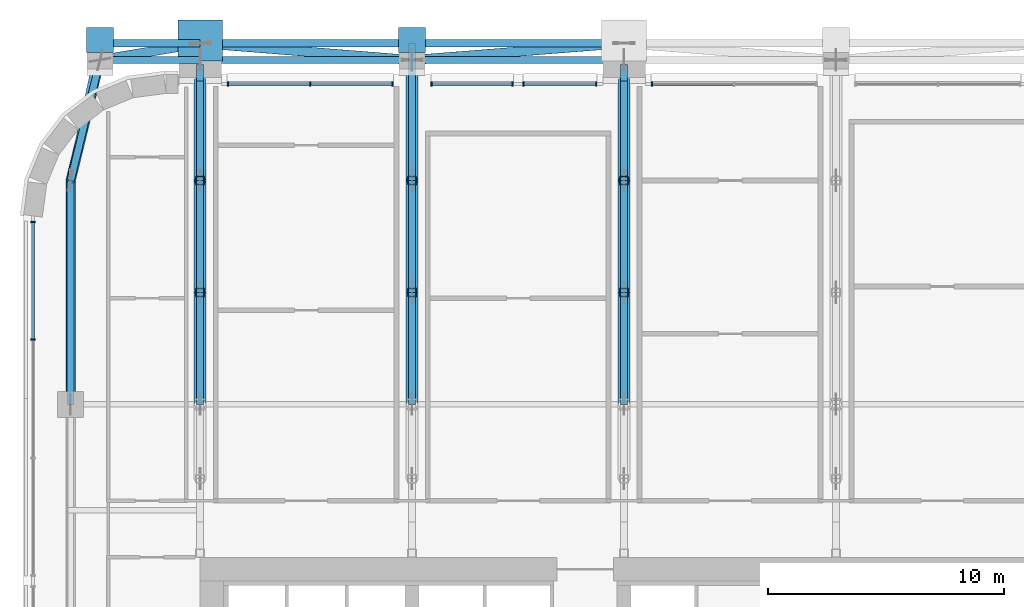
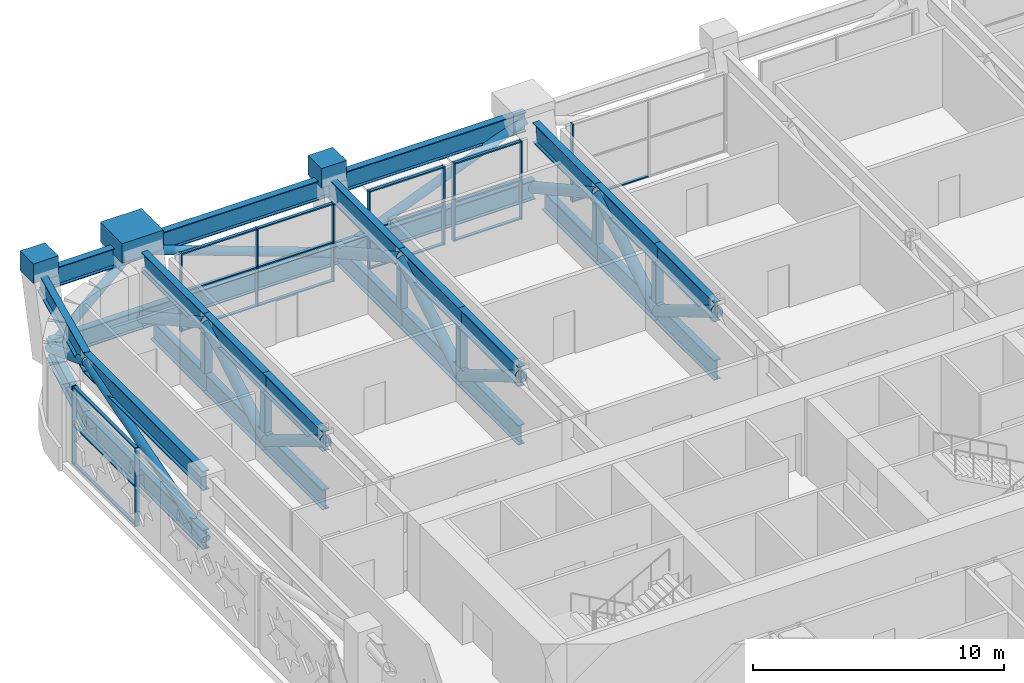
# One storey, part 6 of 27: 74 members, 3 beams, 5 elements without a shape of their own.
"""IFC4 building model written with IfcOpenShell, lengths in metres."""

from ifc_helpers import new_model, si_unit, direction, frame, origin, origin_2d, place, context, subcontext, project, spatial, rectangle, hollow_rectangle, hollow_circle, i_section, extrude, material, material_profile, profile_set, type_object, element, aggregate, save


model = new_model("IFC4")

# Units and contexts
model_context = context("Model", 3, precision=1e-05, world=origin(), true_north=direction((0.0, 1.0)))
body_context = subcontext(model_context, "Body", "Model", "MODEL_VIEW")
ifc_project = project(units=[si_unit("LENGTHUNIT", "METRE"), si_unit("AREAUNIT", "SQUARE_METRE"), si_unit("VOLUMEUNIT", "CUBIC_METRE"), si_unit("PLANEANGLEUNIT", "RADIAN"), si_unit("MASSUNIT", "GRAM", prefix="KILO")], contexts=[model_context])

# Site, building, storey
site_placement = place(None, origin())
site = spatial("IfcSite", under=ifc_project, at=site_placement, CompositionType="ELEMENT")
building_placement = place(site_placement, origin())
building = spatial("IfcBuilding", under=site, at=building_placement, Name="Zellij Exchange Tower", CompositionType="ELEMENT")
storey_placement = place(building_placement, frame((0.0, 0.0, 104.5)))
storey = spatial("IfcBuildingStorey", under=building, at=storey_placement, Name="L22", CompositionType="ELEMENT", Elevation=104.5)

# Curtain wall, member
ifc_material_1 = material(Name="Aluminium frame, clear insulating glass", Category="aluminium")
curtain_wall_type = type_object("IfcCurtainWallType", Name="ENV-CW2 Outrigger-storey glazing", PredefinedType="NOTDEFINED", material=ifc_material_1)
curtain_wall_1_placement = place(storey_placement, origin())
curtain_wall_1 = element("IfcCurtainWall", 1, at=curtain_wall_1_placement, inside=storey, type_object=curtain_wall_type, Name="cw.L22.14f", PredefinedType="NOTDEFINED")
ifc_material_2 = material(Name="Aluminium", Category="aluminium")
ifc_material_profile_1 = material_profile(ifc_material_2, rectangle(XDim=0.06005859375, YDim=0.199951171875, at=origin_2d()), Name="AL 60x200")
ifc_profile_set_1 = profile_set([ifc_material_profile_1], Name="Aluminium")
member_type_1 = type_object("IfcMemberType", Name="ENV-CW2M Mullion 60x200", PredefinedType="MULLION", material=ifc_profile_set_1)
member_1_placement = place(storey_placement, frame((-7.820068359375, 18.10009765625, 0.0), z_axis=(0.0, 0.0, 1.0), x_axis=(-1.0, 0.0, 0.0)))
member_1 = element("IfcMember", 2, at=member_1_placement, type_object=member_type_1, Name="CW2 mullion 3", PredefinedType="MULLION", context=body_context, shape_type="SweptSolid", body=[
    extrude(rectangle(XDim=0.06005859375, YDim=0.199951171875, at=origin_2d()), origin(), (0.0, 0.0, 1.0), 3.800048828125),
])

# Curtain wall, members
curtain_wall_2_placement = place(storey_placement, origin())
curtain_wall_2 = element("IfcCurtainWall", 3, at=curtain_wall_2_placement, inside=storey, type_object=curtain_wall_type, Name="cw.L22.14g", PredefinedType="NOTDEFINED")
member_2_placement = place(storey_placement, frame((-10.179931640625, 18.10009765625, 0.0), z_axis=(0.0, 0.0, 1.0), x_axis=(-1.0, 0.0, 0.0)))
member_2 = element("IfcMember", 4, at=member_2_placement, type_object=member_type_1, Name="CW2 mullion 1", PredefinedType="MULLION", context=body_context, shape_type="SweptSolid", body=[
    extrude(rectangle(XDim=0.06005859375, YDim=0.199951171875, at=origin_2d()), origin(), (0.0, 0.0, 1.0), 3.800048828125),
])
member_3_placement = place(storey_placement, frame((-13.27001953125, 18.10009765625, 0.0), z_axis=(0.0, 0.0, 1.0), x_axis=(-1.0, 0.0, 0.0)))
member_3 = element("IfcMember", 5, at=member_3_placement, type_object=member_type_1, Name="CW2 mullion 2", PredefinedType="MULLION", context=body_context, shape_type="SweptSolid", body=[
    extrude(rectangle(XDim=0.06005859375, YDim=0.199951171875, at=origin_2d()), origin(), (0.0, 0.0, 1.0), 3.800048828125),
])

curtain_wall_3_placement = place(storey_placement, origin())
curtain_wall_3 = element("IfcCurtainWall", 6, at=curtain_wall_3_placement, inside=storey, type_object=curtain_wall_type, Name="cw.L22.14h", PredefinedType="NOTDEFINED")
member_4_placement = place(storey_placement, frame((-13.72998046875, 18.10009765625, 0.0), z_axis=(0.0, 0.0, 1.0), x_axis=(-1.0, 0.0, 0.0)))
member_4 = element("IfcMember", 7, at=member_4_placement, type_object=member_type_1, Name="CW2 mullion 1", PredefinedType="MULLION", context=body_context, shape_type="SweptSolid", body=[
    extrude(rectangle(XDim=0.06005859375, YDim=0.199951171875, at=origin_2d()), origin(), (0.0, 0.0, 1.0), 3.800048828125),
])
member_5_placement = place(storey_placement, frame((-17.169921875, 18.10009765625, 0.0), z_axis=(0.0, 0.0, 1.0), x_axis=(-1.0, 0.0, 0.0)))
member_5 = element("IfcMember", 8, at=member_5_placement, type_object=member_type_1, Name="CW2 mullion 2", PredefinedType="MULLION", context=body_context, shape_type="SweptSolid", body=[
    extrude(rectangle(XDim=0.06005859375, YDim=0.199951171875, at=origin_2d()), origin(), (0.0, 0.0, 1.0), 3.800048828125),
])

curtain_wall_4_placement = place(storey_placement, origin())
curtain_wall_4 = element("IfcCurtainWall", 9, at=curtain_wall_4_placement, inside=storey, type_object=curtain_wall_type, Name="cw.L22.14i", PredefinedType="NOTDEFINED")
member_6_placement = place(storey_placement, frame((-18.830078125, 18.10009765625, 0.0), z_axis=(0.0, 0.0, 1.0), x_axis=(-1.0, 0.0, 0.0)))
member_6 = element("IfcMember", 10, at=member_6_placement, type_object=member_type_1, Name="CW2 mullion 1", PredefinedType="MULLION", context=body_context, shape_type="SweptSolid", body=[
    extrude(rectangle(XDim=0.06005859375, YDim=0.199951171875, at=origin_2d()), origin(), (0.0, 0.0, 1.0), 3.800048828125),
])
member_7_placement = place(storey_placement, frame((-22.324951171875, 18.10009765625, 0.0), z_axis=(0.0, 0.0, 1.0), x_axis=(-1.0, 0.0, 0.0)))
member_7 = element("IfcMember", 11, at=member_7_placement, type_object=member_type_1, Name="CW2 mullion 2", PredefinedType="MULLION", context=body_context, shape_type="SweptSolid", body=[
    extrude(rectangle(XDim=0.06005859375, YDim=0.199951171875, at=origin_2d()), origin(), (0.0, 0.0, 1.0), 3.800048828125),
])
member_8_placement = place(storey_placement, frame((-25.820068359375, 18.10009765625, 0.0), z_axis=(0.0, 0.0, 1.0), x_axis=(-1.0, 0.0, 0.0)))
member_8 = element("IfcMember", 12, at=member_8_placement, type_object=member_type_1, Name="CW2 mullion 3", PredefinedType="MULLION", context=body_context, shape_type="SweptSolid", body=[
    extrude(rectangle(XDim=0.06005859375, YDim=0.199951171875, at=origin_2d()), origin(), (0.0, 0.0, 1.0), 3.800048828125),
])

curtain_wall_5_placement = place(storey_placement, origin())
curtain_wall_5 = element("IfcCurtainWall", 13, at=curtain_wall_5_placement, inside=storey, type_object=curtain_wall_type, Name="cw.L22.21a", PredefinedType="NOTDEFINED")
member_9_placement = place(storey_placement, frame((-34.10009765625, 12.243896484375, 0.0), z_axis=(0.0, 0.0, 1.0), x_axis=(0.0, -1.0, 0.0)))
member_9 = element("IfcMember", 14, at=member_9_placement, type_object=member_type_1, Name="CW2 mullion 1", PredefinedType="MULLION", context=body_context, shape_type="SweptSolid", body=[
    extrude(rectangle(XDim=0.06005859375, YDim=0.199951171875, at=origin_2d()), origin(), (0.0, 0.0, 1.0), 3.800048828125),
])
member_10_placement = place(storey_placement, frame((-34.10009765625, 7.249267578125, 0.0), z_axis=(0.0, 0.0, 1.0), x_axis=(0.0, -1.0, 0.0)))
member_10 = element("IfcMember", 15, at=member_10_placement, type_object=member_type_1, Name="CW2 mullion 2", PredefinedType="MULLION", context=body_context, shape_type="SweptSolid", body=[
    extrude(rectangle(XDim=0.06005859375, YDim=0.199951171875, at=origin_2d()), origin(), (0.0, 0.0, 1.0), 3.800048828125),
])

# Member
ifc_material_profile_2 = material_profile(ifc_material_2, rectangle(XDim=0.139892578125, YDim=0.06005859375, at=origin_2d()), Name="AL 140x60")
ifc_profile_set_2 = profile_set([ifc_material_profile_2], Name="Aluminium")
member_type_2 = type_object("IfcMemberType", Name="ENV-CW2T Transom 140x60", PredefinedType="USERDEFINED", material=ifc_profile_set_2)
member_11_placement = place(storey_placement, frame((-4.35498046875, 18.10009765625, 0.030029296875), z_axis=(-1.0, 0.0, 0.0), x_axis=(0.0, -1.0, 0.0)))
member_11 = element("IfcMember", 16, at=member_11_placement, type_object=member_type_2, Name="CW2 transom 2.1", ObjectType="TRANSOM", PredefinedType="USERDEFINED", context=body_context, shape_type="SweptSolid", body=[
    extrude(rectangle(XDim=0.139892578125, YDim=0.06005859375, at=origin_2d()), origin(), (0.0, 0.0, 1.0), 3.43505859375),
])

aggregate(curtain_wall_1, [member_1, member_11])

member_12_placement = place(storey_placement, frame((-10.2099609375, 18.10009765625, 0.030029296875), z_axis=(-1.0, 0.0, 0.0), x_axis=(0.0, -1.0, 0.0)))
member_12 = element("IfcMember", 17, at=member_12_placement, type_object=member_type_2, Name="CW2 transom 1.1", ObjectType="TRANSOM", PredefinedType="USERDEFINED", context=body_context, shape_type="SweptSolid", body=[
    extrude(rectangle(XDim=0.139892578125, YDim=0.06005859375, at=origin_2d()), origin(), (0.0, 0.0, 1.0), 3.030029296875),
])

member_13_placement = place(storey_placement, frame((-10.2099609375, 18.10009765625, 1.89990234375), z_axis=(-1.0, 0.0, 0.0), x_axis=(0.0, -1.0, 0.0)))
member_13 = element("IfcMember", 18, at=member_13_placement, type_object=member_type_2, Name="CW2 transom 1.2", ObjectType="TRANSOM", PredefinedType="USERDEFINED", context=body_context, shape_type="SweptSolid", body=[
    extrude(rectangle(XDim=0.139892578125, YDim=0.06005859375, at=origin_2d()), origin(), (0.0, 0.0, 1.0), 3.030029296875),
])

member_14_placement = place(storey_placement, frame((-10.2099609375, 18.10009765625, 3.77001953125), z_axis=(-1.0, 0.0, 0.0), x_axis=(0.0, -1.0, 0.0)))
member_14 = element("IfcMember", 19, at=member_14_placement, type_object=member_type_2, Name="CW2 transom 1.3", ObjectType="TRANSOM", PredefinedType="USERDEFINED", context=body_context, shape_type="SweptSolid", body=[
    extrude(rectangle(XDim=0.139892578125, YDim=0.06005859375, at=origin_2d()), origin(), (0.0, 0.0, 1.0), 3.030029296875),
])

aggregate(curtain_wall_2, [member_2, member_3, member_12, member_13, member_14])

member_15_placement = place(storey_placement, frame((-13.760009765625, 18.10009765625, 0.030029296875), z_axis=(-1.0, 0.0, 0.0), x_axis=(0.0, -1.0, 0.0)))
member_15 = element("IfcMember", 20, at=member_15_placement, type_object=member_type_2, Name="CW2 transom 1.1", ObjectType="TRANSOM", PredefinedType="USERDEFINED", context=body_context, shape_type="SweptSolid", body=[
    extrude(rectangle(XDim=0.139892578125, YDim=0.06005859375, at=origin_2d()), origin(), (0.0, 0.0, 1.0), 3.3798828125),
])

member_16_placement = place(storey_placement, frame((-13.760009765625, 18.10009765625, 1.89990234375), z_axis=(-1.0, 0.0, 0.0), x_axis=(0.0, -1.0, 0.0)))
member_16 = element("IfcMember", 21, at=member_16_placement, type_object=member_type_2, Name="CW2 transom 1.2", ObjectType="TRANSOM", PredefinedType="USERDEFINED", context=body_context, shape_type="SweptSolid", body=[
    extrude(rectangle(XDim=0.139892578125, YDim=0.06005859375, at=origin_2d()), origin(), (0.0, 0.0, 1.0), 3.3798828125),
])

member_17_placement = place(storey_placement, frame((-13.760009765625, 18.10009765625, 3.77001953125), z_axis=(-1.0, 0.0, 0.0), x_axis=(0.0, -1.0, 0.0)))
member_17 = element("IfcMember", 22, at=member_17_placement, type_object=member_type_2, Name="CW2 transom 1.3", ObjectType="TRANSOM", PredefinedType="USERDEFINED", context=body_context, shape_type="SweptSolid", body=[
    extrude(rectangle(XDim=0.139892578125, YDim=0.06005859375, at=origin_2d()), origin(), (0.0, 0.0, 1.0), 3.3798828125),
])

aggregate(curtain_wall_3, [member_4, member_5, member_15, member_16, member_17])

member_18_placement = place(storey_placement, frame((-18.860107421875, 18.10009765625, 0.030029296875), z_axis=(-1.0, 0.0, 0.0), x_axis=(0.0, -1.0, 0.0)))
member_18 = element("IfcMember", 23, at=member_18_placement, type_object=member_type_2, Name="CW2 transom 1.1", ObjectType="TRANSOM", PredefinedType="USERDEFINED", context=body_context, shape_type="SweptSolid", body=[
    extrude(rectangle(XDim=0.139892578125, YDim=0.06005859375, at=origin_2d()), origin(), (0.0, 0.0, 1.0), 3.434814453125),
])

member_19_placement = place(storey_placement, frame((-18.860107421875, 18.10009765625, 1.89990234375), z_axis=(-1.0, 0.0, 0.0), x_axis=(0.0, -1.0, 0.0)))
member_19 = element("IfcMember", 24, at=member_19_placement, type_object=member_type_2, Name="CW2 transom 1.2", ObjectType="TRANSOM", PredefinedType="USERDEFINED", context=body_context, shape_type="SweptSolid", body=[
    extrude(rectangle(XDim=0.139892578125, YDim=0.06005859375, at=origin_2d()), origin(), (0.0, 0.0, 1.0), 3.434814453125),
])

member_20_placement = place(storey_placement, frame((-18.860107421875, 18.10009765625, 3.77001953125), z_axis=(-1.0, 0.0, 0.0), x_axis=(0.0, -1.0, 0.0)))
member_20 = element("IfcMember", 25, at=member_20_placement, type_object=member_type_2, Name="CW2 transom 1.3", ObjectType="TRANSOM", PredefinedType="USERDEFINED", context=body_context, shape_type="SweptSolid", body=[
    extrude(rectangle(XDim=0.139892578125, YDim=0.06005859375, at=origin_2d()), origin(), (0.0, 0.0, 1.0), 3.434814453125),
])

member_21_placement = place(storey_placement, frame((-22.35498046875, 18.10009765625, 0.030029296875), z_axis=(-1.0, 0.0, 0.0), x_axis=(0.0, -1.0, 0.0)))
member_21 = element("IfcMember", 26, at=member_21_placement, type_object=member_type_2, Name="CW2 transom 2.1", ObjectType="TRANSOM", PredefinedType="USERDEFINED", context=body_context, shape_type="SweptSolid", body=[
    extrude(rectangle(XDim=0.139892578125, YDim=0.06005859375, at=origin_2d()), origin(), (0.0, 0.0, 1.0), 3.43505859375),
])

member_22_placement = place(storey_placement, frame((-22.35498046875, 18.10009765625, 1.89990234375), z_axis=(-1.0, 0.0, 0.0), x_axis=(0.0, -1.0, 0.0)))
member_22 = element("IfcMember", 27, at=member_22_placement, type_object=member_type_2, Name="CW2 transom 2.2", ObjectType="TRANSOM", PredefinedType="USERDEFINED", context=body_context, shape_type="SweptSolid", body=[
    extrude(rectangle(XDim=0.139892578125, YDim=0.06005859375, at=origin_2d()), origin(), (0.0, 0.0, 1.0), 3.43505859375),
])

member_23_placement = place(storey_placement, frame((-22.35498046875, 18.10009765625, 3.77001953125), z_axis=(-1.0, 0.0, 0.0), x_axis=(0.0, -1.0, 0.0)))
member_23 = element("IfcMember", 28, at=member_23_placement, type_object=member_type_2, Name="CW2 transom 2.3", ObjectType="TRANSOM", PredefinedType="USERDEFINED", context=body_context, shape_type="SweptSolid", body=[
    extrude(rectangle(XDim=0.139892578125, YDim=0.06005859375, at=origin_2d()), origin(), (0.0, 0.0, 1.0), 3.43505859375),
])

aggregate(curtain_wall_4, [member_6, member_7, member_8, member_18, member_19, member_20, member_21, member_22, member_23])

member_24_placement = place(storey_placement, frame((-34.10009765625, 12.2138671875, 0.030029296875), z_axis=(0.0, -1.0, 0.0), x_axis=(1.0, 0.0, 0.0)))
member_24 = element("IfcMember", 29, at=member_24_placement, type_object=member_type_2, Name="CW2 transom 1.1", ObjectType="TRANSOM", PredefinedType="USERDEFINED", context=body_context, shape_type="SweptSolid", body=[
    extrude(rectangle(XDim=0.139892578125, YDim=0.06005859375, at=origin_2d()), origin(), (0.0, 0.0, 1.0), 4.9345703125),
])

member_25_placement = place(storey_placement, frame((-34.10009765625, 12.2138671875, 1.89990234375), z_axis=(0.0, -1.0, 0.0), x_axis=(1.0, 0.0, 0.0)))
member_25 = element("IfcMember", 30, at=member_25_placement, type_object=member_type_2, Name="CW2 transom 1.2", ObjectType="TRANSOM", PredefinedType="USERDEFINED", context=body_context, shape_type="SweptSolid", body=[
    extrude(rectangle(XDim=0.139892578125, YDim=0.06005859375, at=origin_2d()), origin(), (0.0, 0.0, 1.0), 4.9345703125),
])

member_26_placement = place(storey_placement, frame((-34.10009765625, 12.2138671875, 3.77001953125), z_axis=(0.0, -1.0, 0.0), x_axis=(1.0, 0.0, 0.0)))
member_26 = element("IfcMember", 31, at=member_26_placement, type_object=member_type_2, Name="CW2 transom 1.3", ObjectType="TRANSOM", PredefinedType="USERDEFINED", context=body_context, shape_type="SweptSolid", body=[
    extrude(rectangle(XDim=0.139892578125, YDim=0.06005859375, at=origin_2d()), origin(), (0.0, 0.0, 1.0), 4.9345703125),
])

aggregate(curtain_wall_5, [member_9, member_10, member_24, member_25, member_26])

# Members
ifc_material_3 = material(Name="Structural steel ASTM A992 Gr 50", Category="steel")
ifc_material_profile_3 = material_profile(ifc_material_3, i_section(OverallWidth=0.307373046875, OverallDepth=0.9423828125, WebThickness=0.022216796875, FlangeThickness=0.039794921875, at=origin_2d()), Name="W36x232")
ifc_profile_set_3 = profile_set([ifc_material_profile_3], Name="Structural steel ASTM A992 Gr 50")
member_type_3 = type_object("IfcMemberType", Name="STR-BELT TRUSS CHORD W36x232", PredefinedType="CHORD", material=ifc_profile_set_3)
for number, where, z_axis, x_axis, name in (
    (32, (-32.5, 4.5, 0.47119140625), (0.0, 1.0, 0.0), (-1.0, 0.0, 0.0), "BT1"),
    (33, (-32.5, 4.5, 3.328857421875), (0.0, 1.0, 0.0), (-1.0, 0.0, 0.0), "BT1"),
):
    element("IfcMember", number, at=place(storey_placement, frame(where, z_axis=z_axis, x_axis=x_axis)), inside=storey, type_object=member_type_3, Name=name, PredefinedType="CHORD", context=body_context, shape_type="SweptSolid", body=[
        extrude(i_section(OverallWidth=0.307373046875, OverallDepth=0.9423828125, WebThickness=0.022216796875, FlangeThickness=0.039794921875, at=origin_2d()), origin(), (0.0, 0.0, 1.0), 9.5),
    ])
member_27_placement = place(storey_placement, frame((-32.5, 14.0, 0.47119140625), z_axis=(0.237265541344, 0.971444832654, 0.0), x_axis=(-0.971444832654, 0.237265541344, 0.0)))
element("IfcMember", 34, at=member_27_placement, inside=storey, type_object=member_type_3, Name="BT1", PredefinedType="CHORD", context=body_context, shape_type="SweptSolid", body=[
    extrude(i_section(OverallWidth=0.307373046875, OverallDepth=0.9423828125, WebThickness=0.022216796875, FlangeThickness=0.039794921875, at=origin_2d()), origin(), (0.0, 0.0, 1.0), 5.268310546875),
])
member_28_placement = place(storey_placement, frame((-32.5, 14.0, 3.328857421875), z_axis=(0.209565427103, 0.977794626577, 0.0), x_axis=(-0.977794626577, 0.209565427103, 0.0)))
element("IfcMember", 35, at=member_28_placement, inside=storey, type_object=member_type_3, Name="BT1", PredefinedType="CHORD", context=body_context, shape_type="SweptSolid", body=[
    extrude(i_section(OverallWidth=0.307373046875, OverallDepth=0.9423828125, WebThickness=0.022216796875, FlangeThickness=0.039794921875, at=origin_2d()), origin(), (0.0, 0.0, 1.0), 5.96484375),
])
for number, where, z_axis, x_axis, name in (
    (36, (-31.25, 19.117919921875, 0.47119140625), (1.0, 0.0, 0.0), (0.0, 1.0, 0.0), "BT1"),
    (37, (-31.25, 19.832275390625, 3.328857421875), (1.0, 0.0, 0.0), (0.0, 1.0, 0.0), "BT1"),
):
    element("IfcMember", number, at=place(storey_placement, frame(where, z_axis=z_axis, x_axis=x_axis)), inside=storey, type_object=member_type_3, Name=name, PredefinedType="CHORD", context=body_context, shape_type="SweptSolid", body=[
        extrude(i_section(OverallWidth=0.307373046875, OverallDepth=0.9423828125, WebThickness=0.022216796875, FlangeThickness=0.039794921875, at=origin_2d()), origin(), (0.0, 0.0, 1.0), 4.25),
    ])
for number, where, z_axis, x_axis, name in (
    (38, (-27.0, 19.117919921875, 0.47119140625), (1.0, 0.0, 0.0), (0.0, 1.0, 0.0), "BT1"),
    (39, (-27.0, 19.832275390625, 3.328857421875), (1.0, 0.0, 0.0), (0.0, 1.0, 0.0), "BT1"),
    (40, (-18.0, 19.117919921875, 0.47119140625), (1.0, 0.0, 0.0), (0.0, 1.0, 0.0), "BT1"),
    (41, (-18.0, 19.832275390625, 3.328857421875), (1.0, 0.0, 0.0), (0.0, 1.0, 0.0), "BT1"),
):
    element("IfcMember", number, at=place(storey_placement, frame(where, z_axis=z_axis, x_axis=x_axis)), inside=storey, type_object=member_type_3, Name=name, PredefinedType="CHORD", context=body_context, shape_type="SweptSolid", body=[
        extrude(i_section(OverallWidth=0.307373046875, OverallDepth=0.9423828125, WebThickness=0.022216796875, FlangeThickness=0.039794921875, at=origin_2d()), origin(), (0.0, 0.0, 1.0), 9.0),
    ])
ifc_material_4 = material(Name="Structural steel ASTM A500 Gr C", Category="steel")
ifc_material_profile_4 = material_profile(ifc_material_4, hollow_circle(Radius=0.203125, WallThickness=0.01171875, at=origin_2d()), Name="STR-BELT TRUSS DIAGONAL HSS16.000x0.500")
ifc_profile_set_4 = profile_set([ifc_material_profile_4], Name="Structural steel ASTM A500 Gr C")
member_type_4 = type_object("IfcMemberType", Name="STR-BELT TRUSS DIAGONAL HSS16.000x0.500", PredefinedType="BRACE", material=ifc_profile_set_4)
member_29_placement = place(storey_placement, frame((-32.5, 4.5, 0.47119140625), z_axis=(0.0, 0.957613340709, 0.288056747353), x_axis=(-1.0, 0.0, 0.0)))
element("IfcMember", 42, at=member_29_placement, inside=storey, type_object=member_type_4, Name="BT2", PredefinedType="BRACE", context=body_context, shape_type="SweptSolid", body=[
    extrude(hollow_circle(Radius=0.203125, WallThickness=0.01171875, at=origin_2d()), origin(), (0.0, 0.0, 1.0), 9.92041015625),
])
member_30_placement = place(storey_placement, frame((-32.5, 14.0, 3.328857421875), z_axis=(0.208559803398, 0.853913898171, -0.476795409917), x_axis=(-0.971444832654, 0.237265541344, 0.0)))
element("IfcMember", 43, at=member_30_placement, inside=storey, type_object=member_type_4, Name="BT2", PredefinedType="BRACE", context=body_context, shape_type="SweptSolid", body=[
    extrude(hollow_circle(Radius=0.203125, WallThickness=0.01171875, at=origin_2d()), origin(), (0.0, 0.0, 1.0), 5.993408203125),
])
member_31_placement = place(storey_placement, frame((-31.25, 19.117919921875, 0.47119140625), z_axis=(0.821894117254, 0.138146954681, 0.55263503231), x_axis=(-0.165758435529, 0.986166386089, 0.0)))
element("IfcMember", 44, at=member_31_placement, inside=storey, type_object=member_type_4, Name="BT2", PredefinedType="BRACE", context=body_context, shape_type="SweptSolid", body=[
    extrude(hollow_circle(Radius=0.203125, WallThickness=0.01171875, at=origin_2d()), origin(), (0.0, 0.0, 1.0), 5.1708984375),
])
for number, where, z_axis, x_axis, name in (
    (45, (-27.0, 19.832275390625, 3.328857421875), (0.950392591406, -0.075435349459, -0.301767178885), (0.079123978831, 0.996864783195, 0.0), "BT2"),
    (46, (-18.0, 19.117919921875, 0.47119140625), (0.950392591406, 0.075435349459, 0.301767178885), (-0.079123978831, 0.996864783195, 0.0), "BT2"),
):
    element("IfcMember", number, at=place(storey_placement, frame(where, z_axis=z_axis, x_axis=x_axis)), inside=storey, type_object=member_type_4, Name=name, PredefinedType="BRACE", context=body_context, shape_type="SweptSolid", body=[
        extrude(hollow_circle(Radius=0.203125, WallThickness=0.01171875, at=origin_2d()), origin(), (0.0, 0.0, 1.0), 9.4697265625),
    ])

# Beams
ifc_material_5 = material(Name="Concrete C70/85", Category="concrete")
ifc_material_profile_5 = material_profile(ifc_material_5, rectangle(XDim=1.14990234375, YDim=0.949951171875, at=origin_2d()), Name="STR-KNUCKLE BLOCK RC1150x950 C70/85")
ifc_profile_set_5 = profile_set([ifc_material_profile_5], Name="Concrete C70/85")
beam_type_1 = type_object("IfcBeamType", Name="STR-KNUCKLE BLOCK RC1150x950 C70/85", PredefinedType="BEAM", material=ifc_profile_set_5)
for number, where, z_axis, x_axis, name in (
    (47, (-31.25, 19.43310546875, 4.074951171875), (0.0, 1.0, 0.0), (-1.0, 0.0, 0.0), "KB5"),
    (48, (-18.0, 19.43310546875, 4.074951171875), (0.0, 1.0, 0.0), (-1.0, 0.0, 0.0), "KB5"),
):
    element("IfcBeam", number, at=place(storey_placement, frame(where, z_axis=z_axis, x_axis=x_axis)), inside=storey, type_object=beam_type_1, Name=name, PredefinedType="BEAM", context=body_context, shape_type="SweptSolid", body=[
        extrude(rectangle(XDim=1.14990234375, YDim=0.949951171875, at=origin_2d()), origin(), (0.0, 0.0, 1.0), 1.067138671875),
    ])
ifc_material_profile_6 = material_profile(ifc_material_5, rectangle(XDim=1.89990234375, YDim=0.949951171875, at=origin_2d()), Name="STR-KNUCKLE BLOCK RC1900x950 C70/85")
ifc_profile_set_6 = profile_set([ifc_material_profile_6], Name="Concrete C70/85")
beam_type_2 = type_object("IfcBeamType", Name="STR-KNUCKLE BLOCK RC1900x950 C70/85", PredefinedType="BEAM", material=ifc_profile_set_6)
beam_placement = place(storey_placement, frame((-27.0, 19.072265625, 3.925048828125), z_axis=(0.0, 1.0, 0.0), x_axis=(-1.0, 0.0, 0.0)))
element("IfcBeam", 49, at=beam_placement, inside=storey, type_object=beam_type_2, Name="KB10", PredefinedType="BEAM", context=body_context, shape_type="SweptSolid", body=[
    extrude(rectangle(XDim=1.89990234375, YDim=0.949951171875, at=origin_2d()), origin(), (0.0, 0.0, 1.0), 1.746337890625),
])

# Members
ifc_material_6 = material(Name="Structural steel ASTM A913 Gr 65", Category="steel")
ifc_material_profile_7 = material_profile(ifc_material_6, i_section(OverallWidth=0.2998046875, OverallDepth=0.965087890625, WebThickness=0.01904296875, FlangeThickness=0.0361328125, at=origin_2d()), Name="W40x249")
ifc_profile_set_7 = profile_set([ifc_material_profile_7], Name="Structural steel ASTM A913 Gr 65")
member_type_5 = type_object("IfcMemberType", Name="STR-OUTRIGGER TRUSS CHORD W40x249", PredefinedType="CHORD", material=ifc_profile_set_7)
for number, where, z_axis, x_axis, name in (
    (50, (-27.0, 4.5, 3.3173828125), (0.0, 1.0, 0.0), (-1.0, 0.0, 0.0), "OT1"),
    (51, (-27.0, 4.5, 0.482666015625), (0.0, 1.0, 0.0), (-1.0, 0.0, 0.0), "OT1"),
    (52, (-27.0, 9.25, 3.3173828125), (0.0, 1.0, 0.0), (-1.0, 0.0, 0.0), "OT1"),
    (53, (-27.0, 9.25, 0.482666015625), (0.0, 1.0, 0.0), (-1.0, 0.0, 0.0), "OT1"),
):
    element("IfcMember", number, at=place(storey_placement, frame(where, z_axis=z_axis, x_axis=x_axis)), inside=storey, type_object=member_type_5, Name=name, PredefinedType="CHORD", context=body_context, shape_type="SweptSolid", body=[
        extrude(i_section(OverallWidth=0.2998046875, OverallDepth=0.965087890625, WebThickness=0.01904296875, FlangeThickness=0.0361328125, at=origin_2d()), origin(), (0.0, 0.0, 1.0), 4.75),
    ])
member_32_placement = place(storey_placement, frame((-27.0, 14.0, 3.3173828125), z_axis=(0.0, 1.0, 0.0), x_axis=(-1.0, 0.0, 0.0)))
element("IfcMember", 54, at=member_32_placement, inside=storey, type_object=member_type_5, Name="OT1", PredefinedType="CHORD", context=body_context, shape_type="SweptSolid", body=[
    extrude(i_section(OverallWidth=0.2998046875, OverallDepth=0.965087890625, WebThickness=0.01904296875, FlangeThickness=0.0361328125, at=origin_2d()), origin(), (0.0, 0.0, 1.0), 4.929443359375),
])
member_33_placement = place(storey_placement, frame((-27.0, 14.0, 0.482666015625), z_axis=(0.0, 1.0, 0.0), x_axis=(-1.0, 0.0, 0.0)))
element("IfcMember", 55, at=member_33_placement, inside=storey, type_object=member_type_5, Name="OT1", PredefinedType="CHORD", context=body_context, shape_type="SweptSolid", body=[
    extrude(i_section(OverallWidth=0.2998046875, OverallDepth=0.965087890625, WebThickness=0.01904296875, FlangeThickness=0.0361328125, at=origin_2d()), origin(), (0.0, 0.0, 1.0), 4.220703125),
])
for number, where, z_axis, x_axis, name in (
    (56, (-18.0, 4.5, 3.3173828125), (0.0, 1.0, 0.0), (-1.0, 0.0, 0.0), "OT1"),
    (57, (-18.0, 4.5, 0.482666015625), (0.0, 1.0, 0.0), (-1.0, 0.0, 0.0), "OT1"),
    (58, (-18.0, 9.25, 3.3173828125), (0.0, 1.0, 0.0), (-1.0, 0.0, 0.0), "OT1"),
    (59, (-18.0, 9.25, 0.482666015625), (0.0, 1.0, 0.0), (-1.0, 0.0, 0.0), "OT1"),
):
    element("IfcMember", number, at=place(storey_placement, frame(where, z_axis=z_axis, x_axis=x_axis)), inside=storey, type_object=member_type_5, Name=name, PredefinedType="CHORD", context=body_context, shape_type="SweptSolid", body=[
        extrude(i_section(OverallWidth=0.2998046875, OverallDepth=0.965087890625, WebThickness=0.01904296875, FlangeThickness=0.0361328125, at=origin_2d()), origin(), (0.0, 0.0, 1.0), 4.75),
    ])
member_34_placement = place(storey_placement, frame((-18.0, 14.0, 3.3173828125), z_axis=(0.0, 1.0, 0.0), x_axis=(-1.0, 0.0, 0.0)))
element("IfcMember", 60, at=member_34_placement, inside=storey, type_object=member_type_5, Name="OT1", PredefinedType="CHORD", context=body_context, shape_type="SweptSolid", body=[
    extrude(i_section(OverallWidth=0.2998046875, OverallDepth=0.965087890625, WebThickness=0.01904296875, FlangeThickness=0.0361328125, at=origin_2d()), origin(), (0.0, 0.0, 1.0), 5.829345703125),
])
member_35_placement = place(storey_placement, frame((-18.0, 14.0, 0.482666015625), z_axis=(0.0, 1.0, 0.0), x_axis=(-1.0, 0.0, 0.0)))
element("IfcMember", 61, at=member_35_placement, inside=storey, type_object=member_type_5, Name="OT1", PredefinedType="CHORD", context=body_context, shape_type="SweptSolid", body=[
    extrude(i_section(OverallWidth=0.2998046875, OverallDepth=0.965087890625, WebThickness=0.01904296875, FlangeThickness=0.0361328125, at=origin_2d()), origin(), (0.0, 0.0, 1.0), 5.12060546875),
])
for number, where, z_axis, x_axis, name in (
    (62, (-9.0, 4.5, 3.3173828125), (0.0, 1.0, 0.0), (-1.0, 0.0, 0.0), "OT1"),
    (63, (-9.0, 4.5, 0.482666015625), (0.0, 1.0, 0.0), (-1.0, 0.0, 0.0), "OT1"),
    (64, (-9.0, 9.25, 3.3173828125), (0.0, 1.0, 0.0), (-1.0, 0.0, 0.0), "OT1"),
    (65, (-9.0, 9.25, 0.482666015625), (0.0, 1.0, 0.0), (-1.0, 0.0, 0.0), "OT1"),
):
    element("IfcMember", number, at=place(storey_placement, frame(where, z_axis=z_axis, x_axis=x_axis)), inside=storey, type_object=member_type_5, Name=name, PredefinedType="CHORD", context=body_context, shape_type="SweptSolid", body=[
        extrude(i_section(OverallWidth=0.2998046875, OverallDepth=0.965087890625, WebThickness=0.01904296875, FlangeThickness=0.0361328125, at=origin_2d()), origin(), (0.0, 0.0, 1.0), 4.75),
    ])
member_36_placement = place(storey_placement, frame((-9.0, 14.0, 3.3173828125), z_axis=(0.0, 1.0, 0.0), x_axis=(-1.0, 0.0, 0.0)))
element("IfcMember", 66, at=member_36_placement, inside=storey, type_object=member_type_5, Name="OT1", PredefinedType="CHORD", context=body_context, shape_type="SweptSolid", body=[
    extrude(i_section(OverallWidth=0.2998046875, OverallDepth=0.965087890625, WebThickness=0.01904296875, FlangeThickness=0.0361328125, at=origin_2d()), origin(), (0.0, 0.0, 1.0), 4.929443359375),
])
member_37_placement = place(storey_placement, frame((-9.0, 14.0, 0.482666015625), z_axis=(0.0, 1.0, 0.0), x_axis=(-1.0, 0.0, 0.0)))
element("IfcMember", 67, at=member_37_placement, inside=storey, type_object=member_type_5, Name="OT1", PredefinedType="CHORD", context=body_context, shape_type="SweptSolid", body=[
    extrude(i_section(OverallWidth=0.2998046875, OverallDepth=0.965087890625, WebThickness=0.01904296875, FlangeThickness=0.0361328125, at=origin_2d()), origin(), (0.0, 0.0, 1.0), 4.220703125),
])
ifc_material_profile_8 = material_profile(ifc_material_4, hollow_circle(Radius=0.25390625, WallThickness=0.01171875, at=origin_2d()), Name="STR-OUTRIGGER TRUSS DIAGONAL HSS20.000x0.500")
ifc_profile_set_8 = profile_set([ifc_material_profile_8], Name="Structural steel ASTM A500 Gr C")
member_type_6 = type_object("IfcMemberType", Name="STR-OUTRIGGER TRUSS DIAGONAL HSS20.000x0.500", PredefinedType="BRACE", material=ifc_profile_set_8)
for number, where, z_axis, x_axis, name in (
    (68, (-27.0, 4.5, 3.3173828125), (0.0, 0.858709450823, -0.512462758712), (-1.0, 0.0, 0.0), "OT2"),
    (69, (-27.0, 9.25, 0.482666015625), (0.0, 0.858709450823, 0.512462758712), (-1.0, 0.0, 0.0), "OT2"),
):
    element("IfcMember", number, at=place(storey_placement, frame(where, z_axis=z_axis, x_axis=x_axis)), inside=storey, type_object=member_type_6, Name=name, PredefinedType="BRACE", context=body_context, shape_type="SweptSolid", body=[
        extrude(hollow_circle(Radius=0.25390625, WallThickness=0.01171875, at=origin_2d()), origin(), (0.0, 0.0, 1.0), 5.531494140625),
    ])
member_38_placement = place(storey_placement, frame((-27.0, 14.0, 3.3173828125), z_axis=(0.0, 0.874886264276, -0.484328426361), x_axis=(-1.0, 0.0, 0.0)))
element("IfcMember", 70, at=member_38_placement, inside=storey, type_object=member_type_6, Name="OT2", PredefinedType="BRACE", context=body_context, shape_type="SweptSolid", body=[
    extrude(hollow_circle(Radius=0.25390625, WallThickness=0.01171875, at=origin_2d()), origin(), (0.0, 0.0, 1.0), 5.852783203125),
])
for number, where, z_axis, x_axis, name in (
    (71, (-18.0, 4.5, 3.3173828125), (0.0, 0.858709450823, -0.512462758712), (-1.0, 0.0, 0.0), "OT2"),
    (72, (-18.0, 9.25, 0.482666015625), (0.0, 0.858709450823, 0.512462758712), (-1.0, 0.0, 0.0), "OT2"),
):
    element("IfcMember", number, at=place(storey_placement, frame(where, z_axis=z_axis, x_axis=x_axis)), inside=storey, type_object=member_type_6, Name=name, PredefinedType="BRACE", context=body_context, shape_type="SweptSolid", body=[
        extrude(hollow_circle(Radius=0.25390625, WallThickness=0.01171875, at=origin_2d()), origin(), (0.0, 0.0, 1.0), 5.531494140625),
    ])
member_39_placement = place(storey_placement, frame((-18.0, 14.0, 3.3173828125), z_axis=(0.0, 0.874886264276, -0.484328426361), x_axis=(-1.0, 0.0, 0.0)))
element("IfcMember", 73, at=member_39_placement, inside=storey, type_object=member_type_6, Name="OT2", PredefinedType="BRACE", context=body_context, shape_type="SweptSolid", body=[
    extrude(hollow_circle(Radius=0.25390625, WallThickness=0.01171875, at=origin_2d()), origin(), (0.0, 0.0, 1.0), 5.852783203125),
])
for number, where, z_axis, x_axis, name in (
    (74, (-9.0, 4.5, 3.3173828125), (0.0, 0.858709450823, -0.512462758712), (-1.0, 0.0, 0.0), "OT2"),
    (75, (-9.0, 9.25, 0.482666015625), (0.0, 0.858709450823, 0.512462758712), (-1.0, 0.0, 0.0), "OT2"),
):
    element("IfcMember", number, at=place(storey_placement, frame(where, z_axis=z_axis, x_axis=x_axis)), inside=storey, type_object=member_type_6, Name=name, PredefinedType="BRACE", context=body_context, shape_type="SweptSolid", body=[
        extrude(hollow_circle(Radius=0.25390625, WallThickness=0.01171875, at=origin_2d()), origin(), (0.0, 0.0, 1.0), 5.531494140625),
    ])
member_40_placement = place(storey_placement, frame((-9.0, 14.0, 3.3173828125), z_axis=(0.0, 0.874886264276, -0.484328426361), x_axis=(-1.0, 0.0, 0.0)))
element("IfcMember", 76, at=member_40_placement, inside=storey, type_object=member_type_6, Name="OT2", PredefinedType="BRACE", context=body_context, shape_type="SweptSolid", body=[
    extrude(hollow_circle(Radius=0.25390625, WallThickness=0.01171875, at=origin_2d()), origin(), (0.0, 0.0, 1.0), 5.852783203125),
])
ifc_material_profile_9 = material_profile(ifc_material_4, hollow_rectangle(XDim=0.355712890625, YDim=0.355712890625, WallThickness=0.01171875, InnerFilletRadius=0.01171875, OuterFilletRadius=0.023681640625, at=origin_2d()), Name="STR-OUTRIGGER TRUSS POST HSS14x14x1/2")
ifc_profile_set_9 = profile_set([ifc_material_profile_9], Name="Structural steel ASTM A500 Gr C")
member_type_7 = type_object("IfcMemberType", Name="STR-OUTRIGGER TRUSS POST HSS14x14x1/2", PredefinedType="POST", material=ifc_profile_set_9)
for number, where, z_axis, x_axis, name in (
    (77, (-27.0, 9.25, 0.965087890625), (0.0, 0.0, 1.0), (1.0, 0.0, 0.0), "OT3"),
    (78, (-27.0, 14.0, 0.965087890625), (0.0, 0.0, 1.0), (1.0, 0.0, 0.0), "OT3"),
    (79, (-18.0, 9.25, 0.965087890625), (0.0, 0.0, 1.0), (1.0, 0.0, 0.0), "OT3"),
    (80, (-18.0, 14.0, 0.965087890625), (0.0, 0.0, 1.0), (1.0, 0.0, 0.0), "OT3"),
    (81, (-9.0, 9.25, 0.965087890625), (0.0, 0.0, 1.0), (1.0, 0.0, 0.0), "OT3"),
    (82, (-9.0, 14.0, 0.965087890625), (0.0, 0.0, 1.0), (1.0, 0.0, 0.0), "OT3"),
):
    element("IfcMember", number, at=place(storey_placement, frame(where, z_axis=z_axis, x_axis=x_axis)), inside=storey, type_object=member_type_7, Name=name, PredefinedType="POST", context=body_context, shape_type="SweptSolid", body=[
        extrude(hollow_rectangle(XDim=0.355712890625, YDim=0.355712890625, WallThickness=0.01171875, InnerFilletRadius=0.01171875, OuterFilletRadius=0.023681640625, at=origin_2d()), origin(), (0.0, 0.0, 1.0), 1.86962890625),
    ])

save(model, "model.ifc")
